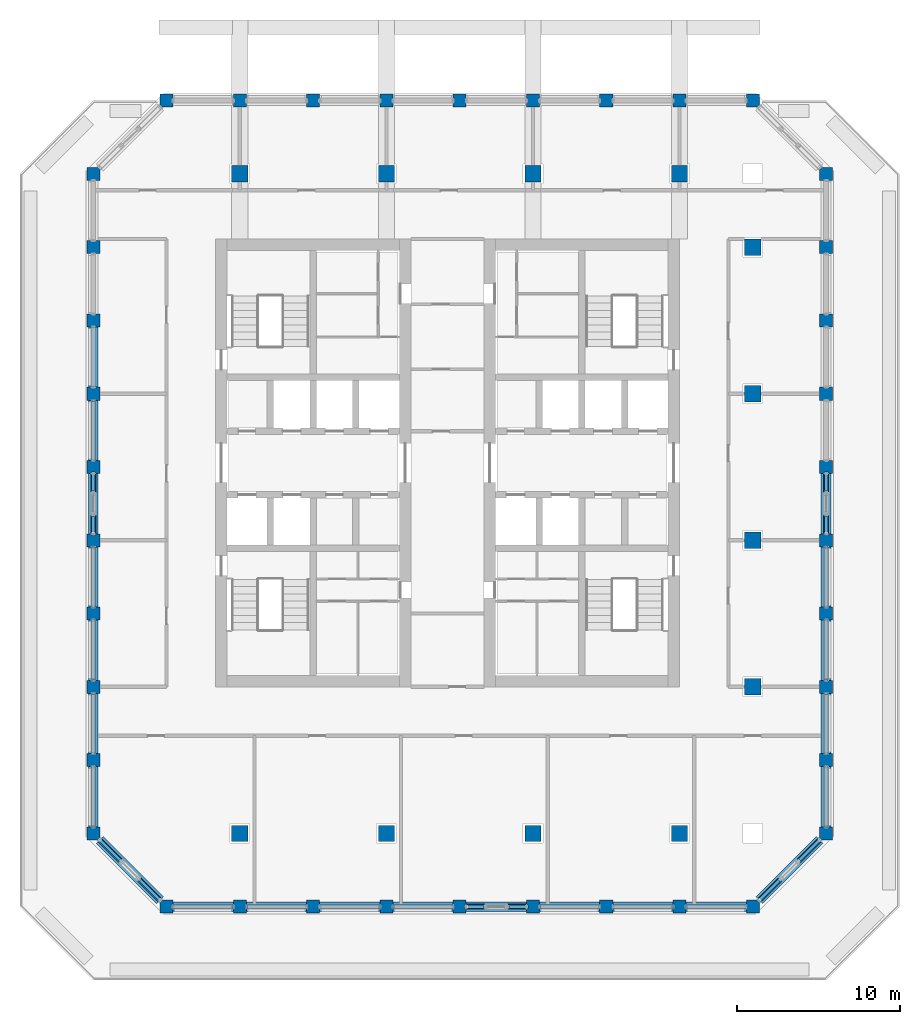
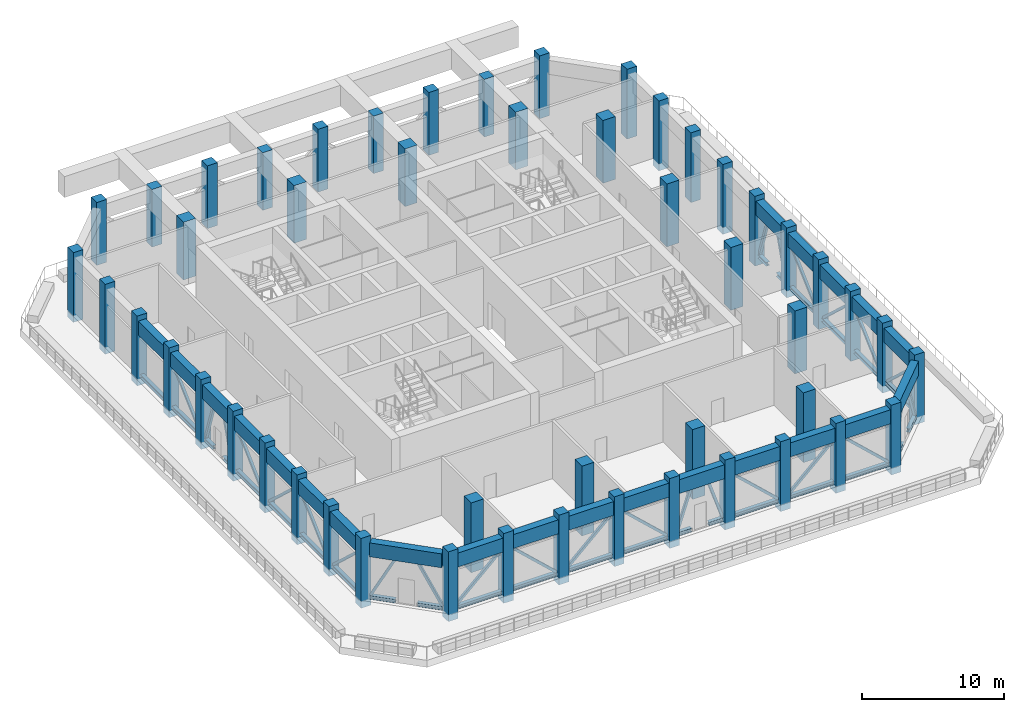
# One storey, part 1 of 19: 53 members, 50 columns, 22 beams.
"""IFC4 building model written with IfcOpenShell, lengths in metres."""

from ifc_helpers import new_model, si_unit, direction, frame, origin, origin_2d, place, context, subcontext, project, spatial, rectangle, hollow_rectangle, i_section, extrude, material, material_profile, profile_set, type_object, element, save


model = new_model("IFC4")

# Units and contexts
model_context = context("Model", 3, precision=1e-05, world=origin(), true_north=direction((0.0, 1.0)))
body_context = subcontext(model_context, "Body", "Model", "MODEL_VIEW")
ifc_project = project(units=[si_unit("LENGTHUNIT", "METRE"), si_unit("AREAUNIT", "SQUARE_METRE"), si_unit("VOLUMEUNIT", "CUBIC_METRE"), si_unit("PLANEANGLEUNIT", "RADIAN"), si_unit("MASSUNIT", "GRAM", prefix="KILO")], contexts=[model_context])

# Site, building, storey
site_placement = place(None, origin())
site = spatial("IfcSite", under=ifc_project, at=site_placement, CompositionType="ELEMENT")
building_placement = place(site_placement, origin())
building = spatial("IfcBuilding", under=site, at=building_placement, Name="Corbel Stack Research Tower", CompositionType="ELEMENT")
storey_placement = place(building_placement, frame((0.0, 0.0, 226.199951171875)))
storey = spatial("IfcBuildingStorey", under=building, at=storey_placement, Name="L51", CompositionType="ELEMENT", Elevation=226.199951171875)

# Columns
ifc_material_1 = material(Name="Concrete C60/75", Category="concrete")
ifc_material_profile_1 = material_profile(ifc_material_1, rectangle(XDim=1.0, YDim=1.0, at=origin_2d()), Name="RC 1000 x 1000")
ifc_profile_set_1 = profile_set([ifc_material_profile_1], Name="Concrete C60/75")
column_type_1 = type_object("IfcColumnType", Name="C-1000-60", PredefinedType="COLUMN", material=ifc_profile_set_1)
for number, where, z_axis, x_axis, name in (
    (1, (-9.0, -18.0, -0.599853515625), (0.0, 0.0, 1.0), (1.0, 0.0, 0.0), "Column 6/D L51"),
    (2, (0.0, -18.0, -0.599853515625), (0.0, 0.0, 1.0), (1.0, 0.0, 0.0), "Column 8/D L51"),
    (3, (9.0, -18.0, -0.599853515625), (0.0, 0.0, 1.0), (1.0, 0.0, 0.0), "Column 10/D L51"),
    (4, (18.0, -18.0, -0.599853515625), (0.0, 0.0, 1.0), (1.0, 0.0, 0.0), "Column 12/D L51"),
):
    element("IfcColumn", number, at=place(storey_placement, frame(where, z_axis=z_axis, x_axis=x_axis)), inside=storey, type_object=column_type_1, Name=name, PredefinedType="COLUMN", context=body_context, shape_type="SweptSolid", body=[
        extrude(rectangle(XDim=1.0, YDim=1.0, at=origin_2d()), origin(), (0.0, 0.0, 1.0), 6.0),
    ])
for number, where, z_axis, x_axis, name in (
    (5, (22.5, -9.0, 0.0), (0.0, 0.0, 1.0), (1.0, 0.0, 0.0), "Column 13/F L51"),
    (6, (22.5, 0.0, 0.0), (0.0, 0.0, 1.0), (1.0, 0.0, 0.0), "Column 13/H L51"),
    (7, (22.5, 9.0, 0.0), (0.0, 0.0, 1.0), (1.0, 0.0, 0.0), "Column 13/K L51"),
    (8, (22.5, 18.0, 0.0), (0.0, 0.0, 1.0), (1.0, 0.0, 0.0), "Column 13/M L51"),
):
    element("IfcColumn", number, at=place(storey_placement, frame(where, z_axis=z_axis, x_axis=x_axis)), inside=storey, type_object=column_type_1, Name=name, PredefinedType="COLUMN", context=body_context, shape_type="SweptSolid", body=[
        extrude(rectangle(XDim=1.0, YDim=1.0, at=origin_2d()), origin(), (0.0, 0.0, 1.0), 5.400146484375),
    ])
ifc_material_2 = material(Name="Concrete C60/75", Category="concrete")
ifc_material_profile_2 = material_profile(ifc_material_2, rectangle(XDim=0.800048828125, YDim=0.800048828125, at=origin_2d()), Name="RC 800 x 800")
ifc_profile_set_2 = profile_set([ifc_material_profile_2], Name="Concrete C60/75")
column_type_2 = type_object("IfcColumnType", Name="C-800-60", PredefinedType="COLUMN", material=ifc_profile_set_2)
for number, where, z_axis, x_axis, name in (
    (9, (-18.0, -18.0, -0.599853515625), (0.0, 0.0, 1.0), (1.0, 0.0, 0.0), "Column 4/D L51"),
    (10, (-18.0, -13.5, -0.599853515625), (0.0, 0.0, 1.0), (1.0, 0.0, 0.0), "Column 4/E L51"),
    (11, (-18.0, -9.0, -0.599853515625), (0.0, 0.0, 1.0), (1.0, 0.0, 0.0), "Column 4/F L51"),
    (12, (-18.0, -4.5, -0.599853515625), (0.0, 0.0, 1.0), (1.0, 0.0, 0.0), "Column 4/G L51"),
    (13, (-18.0, 0.0, -0.599853515625), (0.0, 0.0, 1.0), (1.0, 0.0, 0.0), "Column 4/H L51"),
    (14, (-18.0, 4.5, -0.599853515625), (0.0, 0.0, 1.0), (1.0, 0.0, 0.0), "Column 4/J L51"),
    (15, (-18.0, 9.0, -0.599853515625), (0.0, 0.0, 1.0), (1.0, 0.0, 0.0), "Column 4/K L51"),
    (16, (-18.0, 13.5, -0.599853515625), (0.0, 0.0, 1.0), (1.0, 0.0, 0.0), "Column 4/L L51"),
    (17, (-18.0, 18.0, -0.599853515625), (0.0, 0.0, 1.0), (1.0, 0.0, 0.0), "Column 4/M L51"),
    (18, (-18.0, 22.5, -0.599853515625), (0.0, 0.0, 1.0), (1.0, 0.0, 0.0), "Column 4/N L51"),
    (19, (-13.5, -22.5, -0.599853515625), (0.0, 0.0, 1.0), (1.0, 0.0, 0.0), "Column 5/C L51"),
):
    element("IfcColumn", number, at=place(storey_placement, frame(where, z_axis=z_axis, x_axis=x_axis)), inside=storey, type_object=column_type_2, Name=name, PredefinedType="COLUMN", context=body_context, shape_type="SweptSolid", body=[
        extrude(rectangle(XDim=0.800048828125, YDim=0.800048828125, at=origin_2d()), origin(), (0.0, 0.0, 1.0), 6.0),
    ])
column_1_placement = place(storey_placement, frame((-13.5, 27.0, 0.0), z_axis=(0.0, 0.0, 1.0), x_axis=(1.0, 0.0, 0.0)))
element("IfcColumn", 20, at=column_1_placement, inside=storey, type_object=column_type_2, Name="Column 5/P L51", PredefinedType="COLUMN", context=body_context, shape_type="SweptSolid", body=[
    extrude(rectangle(XDim=0.800048828125, YDim=0.800048828125, at=origin_2d()), origin(), (0.0, 0.0, 1.0), 5.400146484375),
])
for number, where, z_axis, x_axis, name in (
    (21, (-9.0, -22.5, -0.599853515625), (0.0, 0.0, 1.0), (1.0, 0.0, 0.0), "Column 6/C L51"),
    (22, (-4.5, -22.5, -0.599853515625), (0.0, 0.0, 1.0), (1.0, 0.0, 0.0), "Column 7/C L51"),
):
    element("IfcColumn", number, at=place(storey_placement, frame(where, z_axis=z_axis, x_axis=x_axis)), inside=storey, type_object=column_type_2, Name=name, PredefinedType="COLUMN", context=body_context, shape_type="SweptSolid", body=[
        extrude(rectangle(XDim=0.800048828125, YDim=0.800048828125, at=origin_2d()), origin(), (0.0, 0.0, 1.0), 6.0),
    ])
column_2_placement = place(storey_placement, frame((-4.5, 27.0, 0.0), z_axis=(0.0, 0.0, 1.0), x_axis=(1.0, 0.0, 0.0)))
element("IfcColumn", 23, at=column_2_placement, inside=storey, type_object=column_type_2, Name="Column 7/P L51", PredefinedType="COLUMN", context=body_context, shape_type="SweptSolid", body=[
    extrude(rectangle(XDim=0.800048828125, YDim=0.800048828125, at=origin_2d()), origin(), (0.0, 0.0, 1.0), 5.400146484375),
])
for number, where, z_axis, x_axis, name in (
    (24, (0.0, -22.5, -0.599853515625), (0.0, 0.0, 1.0), (1.0, 0.0, 0.0), "Column 8/C L51"),
    (25, (4.5, -22.5, -0.599853515625), (0.0, 0.0, 1.0), (1.0, 0.0, 0.0), "Column 9/C L51"),
):
    element("IfcColumn", number, at=place(storey_placement, frame(where, z_axis=z_axis, x_axis=x_axis)), inside=storey, type_object=column_type_2, Name=name, PredefinedType="COLUMN", context=body_context, shape_type="SweptSolid", body=[
        extrude(rectangle(XDim=0.800048828125, YDim=0.800048828125, at=origin_2d()), origin(), (0.0, 0.0, 1.0), 6.0),
    ])
column_3_placement = place(storey_placement, frame((4.5, 27.0, 0.0), z_axis=(0.0, 0.0, 1.0), x_axis=(1.0, 0.0, 0.0)))
element("IfcColumn", 26, at=column_3_placement, inside=storey, type_object=column_type_2, Name="Column 9/P L51", PredefinedType="COLUMN", context=body_context, shape_type="SweptSolid", body=[
    extrude(rectangle(XDim=0.800048828125, YDim=0.800048828125, at=origin_2d()), origin(), (0.0, 0.0, 1.0), 5.400146484375),
])
for number, where, z_axis, x_axis, name in (
    (27, (9.0, -22.5, -0.599853515625), (0.0, 0.0, 1.0), (1.0, 0.0, 0.0), "Column 10/C L51"),
    (28, (13.5, -22.5, -0.599853515625), (0.0, 0.0, 1.0), (1.0, 0.0, 0.0), "Column 11/C L51"),
):
    element("IfcColumn", number, at=place(storey_placement, frame(where, z_axis=z_axis, x_axis=x_axis)), inside=storey, type_object=column_type_2, Name=name, PredefinedType="COLUMN", context=body_context, shape_type="SweptSolid", body=[
        extrude(rectangle(XDim=0.800048828125, YDim=0.800048828125, at=origin_2d()), origin(), (0.0, 0.0, 1.0), 6.0),
    ])
column_4_placement = place(storey_placement, frame((13.5, 27.0, 0.0), z_axis=(0.0, 0.0, 1.0), x_axis=(1.0, 0.0, 0.0)))
element("IfcColumn", 29, at=column_4_placement, inside=storey, type_object=column_type_2, Name="Column 11/P L51", PredefinedType="COLUMN", context=body_context, shape_type="SweptSolid", body=[
    extrude(rectangle(XDim=0.800048828125, YDim=0.800048828125, at=origin_2d()), origin(), (0.0, 0.0, 1.0), 5.400146484375),
])
for number, where, z_axis, x_axis, name in (
    (30, (18.0, -22.5, -0.599853515625), (0.0, 0.0, 1.0), (1.0, 0.0, 0.0), "Column 12/C L51"),
    (31, (22.5, -22.5, -0.599853515625), (0.0, 0.0, 1.0), (1.0, 0.0, 0.0), "Column 13/C L51"),
):
    element("IfcColumn", number, at=place(storey_placement, frame(where, z_axis=z_axis, x_axis=x_axis)), inside=storey, type_object=column_type_2, Name=name, PredefinedType="COLUMN", context=body_context, shape_type="SweptSolid", body=[
        extrude(rectangle(XDim=0.800048828125, YDim=0.800048828125, at=origin_2d()), origin(), (0.0, 0.0, 1.0), 6.0),
    ])
column_5_placement = place(storey_placement, frame((22.5, 27.0, 0.0), z_axis=(0.0, 0.0, 1.0), x_axis=(1.0, 0.0, 0.0)))
element("IfcColumn", 32, at=column_5_placement, inside=storey, type_object=column_type_2, Name="Column 13/P L51", PredefinedType="COLUMN", context=body_context, shape_type="SweptSolid", body=[
    extrude(rectangle(XDim=0.800048828125, YDim=0.800048828125, at=origin_2d()), origin(), (0.0, 0.0, 1.0), 5.400146484375),
])
for number, where, z_axis, x_axis, name in (
    (33, (27.0, -18.0, -0.599853515625), (0.0, 0.0, 1.0), (1.0, 0.0, 0.0), "Column 14/D L51"),
    (34, (27.0, -13.5, -0.599853515625), (0.0, 0.0, 1.0), (1.0, 0.0, 0.0), "Column 14/E L51"),
    (35, (27.0, -9.0, -0.599853515625), (0.0, 0.0, 1.0), (1.0, 0.0, 0.0), "Column 14/F L51"),
    (36, (27.0, -4.5, -0.599853515625), (0.0, 0.0, 1.0), (1.0, 0.0, 0.0), "Column 14/G L51"),
    (37, (27.0, 0.0, -0.599853515625), (0.0, 0.0, 1.0), (1.0, 0.0, 0.0), "Column 14/H L51"),
    (38, (27.0, 4.5, -0.599853515625), (0.0, 0.0, 1.0), (1.0, 0.0, 0.0), "Column 14/J L51"),
    (39, (27.0, 9.0, -0.599853515625), (0.0, 0.0, 1.0), (1.0, 0.0, 0.0), "Column 14/K L51"),
    (40, (27.0, 13.5, -0.599853515625), (0.0, 0.0, 1.0), (1.0, 0.0, 0.0), "Column 14/L L51"),
    (41, (27.0, 18.0, -0.599853515625), (0.0, 0.0, 1.0), (1.0, 0.0, 0.0), "Column 14/M L51"),
    (42, (27.0, 22.5, -0.599853515625), (0.0, 0.0, 1.0), (1.0, 0.0, 0.0), "Column 14/N L51"),
):
    element("IfcColumn", number, at=place(storey_placement, frame(where, z_axis=z_axis, x_axis=x_axis)), inside=storey, type_object=column_type_2, Name=name, PredefinedType="COLUMN", context=body_context, shape_type="SweptSolid", body=[
        extrude(rectangle(XDim=0.800048828125, YDim=0.800048828125, at=origin_2d()), origin(), (0.0, 0.0, 1.0), 6.0),
    ])
ifc_material_3 = material(Name="Concrete C60/75", Category="concrete")
ifc_material_profile_3 = material_profile(ifc_material_3, rectangle(XDim=1.0, YDim=1.0, at=origin_2d()), Name="RC 1000 x 1000")
ifc_profile_set_3 = profile_set([ifc_material_profile_3], Name="Concrete C60/75")
column_type_3 = type_object("IfcColumnType", Name="CG-1000-60-450", PredefinedType="COLUMN", material=ifc_profile_set_3)
for number, where, z_axis, x_axis, name in (
    (43, (-9.0, 22.5, 0.0), (0.0, 0.0, 1.0), (1.0, 0.0, 0.0), "Column 6/N L51"),
    (44, (0.0, 22.5, 0.0), (0.0, 0.0, 1.0), (1.0, 0.0, 0.0), "Column 8/N L51"),
    (45, (9.0, 22.5, 0.0), (0.0, 0.0, 1.0), (1.0, 0.0, 0.0), "Column 10/N L51"),
    (46, (18.0, 22.5, 0.0), (0.0, 0.0, 1.0), (1.0, 0.0, 0.0), "Column 12/N L51"),
):
    element("IfcColumn", number, at=place(storey_placement, frame(where, z_axis=z_axis, x_axis=x_axis)), inside=storey, type_object=column_type_3, Name=name, PredefinedType="COLUMN", context=body_context, shape_type="SweptSolid", body=[
        extrude(rectangle(XDim=1.0, YDim=1.0, at=origin_2d()), origin(), (0.0, 0.0, 1.0), 4.949951171875),
    ])
ifc_material_4 = material(Name="Concrete C60/75", Category="concrete")
ifc_material_profile_4 = material_profile(ifc_material_4, rectangle(XDim=0.800048828125, YDim=0.800048828125, at=origin_2d()), Name="RC 800 x 800")
ifc_profile_set_4 = profile_set([ifc_material_profile_4], Name="Concrete C60/75")
column_type_4 = type_object("IfcColumnType", Name="CG-800-60-450", PredefinedType="COLUMN", material=ifc_profile_set_4)
for number, where, z_axis, x_axis, name in (
    (47, (-9.0, 27.0, 0.0), (0.0, 0.0, 1.0), (1.0, 0.0, 0.0), "Column 6/P L51"),
    (48, (0.0, 27.0, 0.0), (0.0, 0.0, 1.0), (1.0, 0.0, 0.0), "Column 8/P L51"),
    (49, (9.0, 27.0, 0.0), (0.0, 0.0, 1.0), (1.0, 0.0, 0.0), "Column 10/P L51"),
    (50, (18.0, 27.0, 0.0), (0.0, 0.0, 1.0), (1.0, 0.0, 0.0), "Column 12/P L51"),
):
    element("IfcColumn", number, at=place(storey_placement, frame(where, z_axis=z_axis, x_axis=x_axis)), inside=storey, type_object=column_type_4, Name=name, PredefinedType="COLUMN", context=body_context, shape_type="SweptSolid", body=[
        extrude(rectangle(XDim=0.800048828125, YDim=0.800048828125, at=origin_2d()), origin(), (0.0, 0.0, 1.0), 4.949951171875),
    ])

# Members
ifc_material_5 = material(Name="Steel S355", Category="steel")
ifc_material_profile_5 = material_profile(ifc_material_5, i_section(OverallWidth=0.304931640625, OverallDepth=0.30810546875, WebThickness=0.010009765625, FlangeThickness=0.014892578125, at=origin_2d()), Name="W12x65")
ifc_profile_set_5 = profile_set([ifc_material_profile_5], Name="Steel S355")
member_type_1 = type_object("IfcMemberType", Name="BC-65", PredefinedType="CHORD", material=ifc_profile_set_5)
for number, where, z_axis, x_axis, name in (
    (51, (-13.10009765625, -22.5, 0.154052734375), (1.0, 0.0, 0.0), (0.0, 1.0, 0.0), "Belt truss chord L51-01"),
    (52, (-8.60009765625, -22.5, 0.154052734375), (1.0, 0.0, 0.0), (0.0, 1.0, 0.0), "Belt truss chord L51-02"),
    (53, (-4.10009765625, -22.5, 0.154052734375), (1.0, 0.0, 0.0), (0.0, 1.0, 0.0), "Belt truss chord L51-03"),
    (54, (0.39990234375, -22.5, 0.154052734375), (1.0, 0.0, 0.0), (0.0, 1.0, 0.0), "Belt truss chord L51-04"),
):
    element("IfcMember", number, at=place(storey_placement, frame(where, z_axis=z_axis, x_axis=x_axis)), inside=storey, type_object=member_type_1, Name=name, PredefinedType="CHORD", context=body_context, shape_type="SweptSolid", body=[
        extrude(i_section(OverallWidth=0.304931640625, OverallDepth=0.30810546875, WebThickness=0.010009765625, FlangeThickness=0.014892578125, at=origin_2d()), origin(), (0.0, 0.0, 1.0), 3.7001953125),
    ])
for number, where, z_axis, x_axis, name in (
    (55, (4.89990234375, -22.5, 0.154052734375), (1.0, 0.0, 0.0), (0.0, 1.0, 0.0), "Belt truss chord L51-05a"),
    (56, (7.449951171875, -22.5, 0.154052734375), (1.0, 0.0, 0.0), (0.0, 1.0, 0.0), "Belt truss chord L51-05b"),
):
    element("IfcMember", number, at=place(storey_placement, frame(where, z_axis=z_axis, x_axis=x_axis)), inside=storey, type_object=member_type_1, Name=name, PredefinedType="CHORD", context=body_context, shape_type="SweptSolid", body=[
        extrude(i_section(OverallWidth=0.304931640625, OverallDepth=0.30810546875, WebThickness=0.010009765625, FlangeThickness=0.014892578125, at=origin_2d()), origin(), (0.0, 0.0, 1.0), 1.150146484375),
    ])
for number, where, z_axis, x_axis, name in (
    (57, (9.39990234375, -22.5, 0.154052734375), (1.0, 0.0, 0.0), (0.0, 1.0, 0.0), "Belt truss chord L51-06"),
    (58, (13.89990234375, -22.5, 0.154052734375), (1.0, 0.0, 0.0), (0.0, 1.0, 0.0), "Belt truss chord L51-07"),
    (59, (18.39990234375, -22.5, 0.154052734375), (1.0, 0.0, 0.0), (0.0, 1.0, 0.0), "Belt truss chord L51-08"),
):
    element("IfcMember", number, at=place(storey_placement, frame(where, z_axis=z_axis, x_axis=x_axis)), inside=storey, type_object=member_type_1, Name=name, PredefinedType="CHORD", context=body_context, shape_type="SweptSolid", body=[
        extrude(i_section(OverallWidth=0.304931640625, OverallDepth=0.30810546875, WebThickness=0.010009765625, FlangeThickness=0.014892578125, at=origin_2d()), origin(), (0.0, 0.0, 1.0), 3.7001953125),
    ])
for number, where, z_axis, x_axis, name in (
    (60, (22.89990234375, -22.10009765625, 0.154052734375), (0.707106781187, 0.707106781187, 0.0), (-0.707106781187, 0.707106781187, 0.0), "Belt truss chord L51-09a"),
    (61, (25.315673828125, -19.684326171875, 0.154052734375), (0.707106781187, 0.707106781187, 0.0), (-0.707106781187, 0.707106781187, 0.0), "Belt truss chord L51-09b"),
):
    element("IfcMember", number, at=place(storey_placement, frame(where, z_axis=z_axis, x_axis=x_axis)), inside=storey, type_object=member_type_1, Name=name, PredefinedType="CHORD", context=body_context, shape_type="SweptSolid", body=[
        extrude(i_section(OverallWidth=0.304931640625, OverallDepth=0.30810546875, WebThickness=0.010009765625, FlangeThickness=0.014892578125, at=origin_2d()), origin(), (0.0, 0.0, 1.0), 1.81640625),
    ])
for number, where, z_axis, x_axis, name in (
    (62, (27.0, -17.60009765625, 0.154052734375), (0.0, 1.0, 0.0), (-1.0, 0.0, 0.0), "Belt truss chord L51-10"),
    (63, (27.0, -13.10009765625, 0.154052734375), (0.0, 1.0, 0.0), (-1.0, 0.0, 0.0), "Belt truss chord L51-11"),
    (64, (27.0, -8.60009765625, 0.154052734375), (0.0, 1.0, 0.0), (-1.0, 0.0, 0.0), "Belt truss chord L51-12"),
    (65, (27.0, -4.10009765625, 0.154052734375), (0.0, 1.0, 0.0), (-1.0, 0.0, 0.0), "Belt truss chord L51-13"),
):
    element("IfcMember", number, at=place(storey_placement, frame(where, z_axis=z_axis, x_axis=x_axis)), inside=storey, type_object=member_type_1, Name=name, PredefinedType="CHORD", context=body_context, shape_type="SweptSolid", body=[
        extrude(i_section(OverallWidth=0.304931640625, OverallDepth=0.30810546875, WebThickness=0.010009765625, FlangeThickness=0.014892578125, at=origin_2d()), origin(), (0.0, 0.0, 1.0), 3.7001953125),
    ])
for number, where, z_axis, x_axis, name in (
    (66, (27.0, 0.39990234375, 0.154052734375), (0.0, 1.0, 0.0), (-1.0, 0.0, 0.0), "Belt truss chord L51-14a"),
    (67, (27.0, 2.949951171875, 0.154052734375), (0.0, 1.0, 0.0), (-1.0, 0.0, 0.0), "Belt truss chord L51-14b"),
):
    element("IfcMember", number, at=place(storey_placement, frame(where, z_axis=z_axis, x_axis=x_axis)), inside=storey, type_object=member_type_1, Name=name, PredefinedType="CHORD", context=body_context, shape_type="SweptSolid", body=[
        extrude(i_section(OverallWidth=0.304931640625, OverallDepth=0.30810546875, WebThickness=0.010009765625, FlangeThickness=0.014892578125, at=origin_2d()), origin(), (0.0, 0.0, 1.0), 1.150146484375),
    ])
for number, where, z_axis, x_axis, name in (
    (68, (-18.0, 13.10009765625, 0.154052734375), (0.0, -1.0, 0.0), (1.0, 0.0, 0.0), "Belt truss chord L51-31"),
    (69, (-18.0, 8.60009765625, 0.154052734375), (0.0, -1.0, 0.0), (1.0, 0.0, 0.0), "Belt truss chord L51-32"),
):
    element("IfcMember", number, at=place(storey_placement, frame(where, z_axis=z_axis, x_axis=x_axis)), inside=storey, type_object=member_type_1, Name=name, PredefinedType="CHORD", context=body_context, shape_type="SweptSolid", body=[
        extrude(i_section(OverallWidth=0.304931640625, OverallDepth=0.30810546875, WebThickness=0.010009765625, FlangeThickness=0.014892578125, at=origin_2d()), origin(), (0.0, 0.0, 1.0), 3.7001953125),
    ])
for number, where, z_axis, x_axis, name in (
    (70, (-18.0, 4.10009765625, 0.154052734375), (0.0, -1.0, 0.0), (1.0, 0.0, 0.0), "Belt truss chord L51-33a"),
    (71, (-18.0, 1.550048828125, 0.154052734375), (0.0, -1.0, 0.0), (1.0, 0.0, 0.0), "Belt truss chord L51-33b"),
):
    element("IfcMember", number, at=place(storey_placement, frame(where, z_axis=z_axis, x_axis=x_axis)), inside=storey, type_object=member_type_1, Name=name, PredefinedType="CHORD", context=body_context, shape_type="SweptSolid", body=[
        extrude(i_section(OverallWidth=0.304931640625, OverallDepth=0.30810546875, WebThickness=0.010009765625, FlangeThickness=0.014892578125, at=origin_2d()), origin(), (0.0, 0.0, 1.0), 1.150146484375),
    ])
for number, where, z_axis, x_axis, name in (
    (72, (-18.0, -0.39990234375, 0.154052734375), (0.0, -1.0, 0.0), (1.0, 0.0, 0.0), "Belt truss chord L51-34"),
    (73, (-18.0, -4.89990234375, 0.154052734375), (0.0, -1.0, 0.0), (1.0, 0.0, 0.0), "Belt truss chord L51-35"),
    (74, (-18.0, -9.39990234375, 0.154052734375), (0.0, -1.0, 0.0), (1.0, 0.0, 0.0), "Belt truss chord L51-36"),
    (75, (-18.0, -13.89990234375, 0.154052734375), (0.0, -1.0, 0.0), (1.0, 0.0, 0.0), "Belt truss chord L51-37"),
):
    element("IfcMember", number, at=place(storey_placement, frame(where, z_axis=z_axis, x_axis=x_axis)), inside=storey, type_object=member_type_1, Name=name, PredefinedType="CHORD", context=body_context, shape_type="SweptSolid", body=[
        extrude(i_section(OverallWidth=0.304931640625, OverallDepth=0.30810546875, WebThickness=0.010009765625, FlangeThickness=0.014892578125, at=origin_2d()), origin(), (0.0, 0.0, 1.0), 3.7001953125),
    ])
for number, where, z_axis, x_axis, name in (
    (76, (-17.60009765625, -18.39990234375, 0.154052734375), (0.707106781187, -0.707106781187, 0.0), (0.707106781187, 0.707106781187, 0.0), "Belt truss chord L51-38a"),
    (77, (-15.184326171875, -20.815673828125, 0.154052734375), (0.707106781187, -0.707106781187, 0.0), (0.707106781187, 0.707106781187, 0.0), "Belt truss chord L51-38b"),
):
    element("IfcMember", number, at=place(storey_placement, frame(where, z_axis=z_axis, x_axis=x_axis)), inside=storey, type_object=member_type_1, Name=name, PredefinedType="CHORD", context=body_context, shape_type="SweptSolid", body=[
        extrude(i_section(OverallWidth=0.304931640625, OverallDepth=0.30810546875, WebThickness=0.010009765625, FlangeThickness=0.014892578125, at=origin_2d()), origin(), (0.0, 0.0, 1.0), 1.81640625),
    ])
ifc_material_6 = material(Name="Steel S355", Category="steel")
ifc_material_profile_6 = material_profile(ifc_material_6, hollow_rectangle(XDim=0.202880859375, YDim=0.202880859375, WallThickness=0.0087890625, at=origin_2d()), Name="HSS8x8x3/8")
ifc_profile_set_6 = profile_set([ifc_material_profile_6], Name="Steel S355")
member_type_2 = type_object("IfcMemberType", Name="BD-8", PredefinedType="BRACE", material=ifc_profile_set_6)
for number, where, z_axis, x_axis, name in (
    (78, (-13.10009765625, -22.5, 0.30810546875), (0.73220130553, 0.0, 0.681088282222), (0.0, 1.0, 0.0), "Belt truss diagonal L51-01"),
    (79, (-4.89990234375, -22.5, 0.30810546875), (-0.73220130553, 0.0, 0.681088282222), (0.0, -1.0, 0.0), "Belt truss diagonal L51-02"),
    (80, (-4.10009765625, -22.5, 0.30810546875), (0.73220130553, 0.0, 0.681088282222), (0.0, 1.0, 0.0), "Belt truss diagonal L51-03"),
    (81, (4.10009765625, -22.5, 0.30810546875), (-0.73220130553, 0.0, 0.681088282222), (0.0, -1.0, 0.0), "Belt truss diagonal L51-04"),
):
    element("IfcMember", number, at=place(storey_placement, frame(where, z_axis=z_axis, x_axis=x_axis)), inside=storey, type_object=member_type_2, Name=name, PredefinedType="BRACE", context=body_context, shape_type="SweptSolid", body=[
        extrude(hollow_rectangle(XDim=0.202880859375, YDim=0.202880859375, WallThickness=0.0087890625, at=origin_2d()), origin(), (0.0, 0.0, 1.0), 5.053466796875),
    ])
for number, where, z_axis, x_axis, name in (
    (82, (4.89990234375, -22.5, 0.30810546875), (0.316934069296, 0.0, 0.948447571413), (0.0, 1.0, 0.0), "Belt truss diagonal L51-05a"),
    (83, (8.60009765625, -22.5, 0.30810546875), (-0.316934069296, 0.0, 0.948447571413), (0.0, -1.0, 0.0), "Belt truss diagonal L51-05b"),
):
    element("IfcMember", number, at=place(storey_placement, frame(where, z_axis=z_axis, x_axis=x_axis)), inside=storey, type_object=member_type_2, Name=name, PredefinedType="BRACE", context=body_context, shape_type="SweptSolid", body=[
        extrude(hollow_rectangle(XDim=0.202880859375, YDim=0.202880859375, WallThickness=0.0087890625, at=origin_2d()), origin(), (0.0, 0.0, 1.0), 3.62890625),
    ])
for number, where, z_axis, x_axis, name in (
    (84, (13.10009765625, -22.5, 0.30810546875), (-0.73220130553, 0.0, 0.681088282222), (0.0, -1.0, 0.0), "Belt truss diagonal L51-06"),
    (85, (13.89990234375, -22.5, 0.30810546875), (0.73220130553, 0.0, 0.681088282222), (0.0, 1.0, 0.0), "Belt truss diagonal L51-07"),
    (86, (22.10009765625, -22.5, 0.30810546875), (-0.73220130553, 0.0, 0.681088282222), (0.0, -1.0, 0.0), "Belt truss diagonal L51-08"),
):
    element("IfcMember", number, at=place(storey_placement, frame(where, z_axis=z_axis, x_axis=x_axis)), inside=storey, type_object=member_type_2, Name=name, PredefinedType="BRACE", context=body_context, shape_type="SweptSolid", body=[
        extrude(hollow_rectangle(XDim=0.202880859375, YDim=0.202880859375, WallThickness=0.0087890625, at=origin_2d()), origin(), (0.0, 0.0, 1.0), 5.053466796875),
    ])
for number, where, z_axis, x_axis, name in (
    (87, (22.89990234375, -22.10009765625, 0.30810546875), (0.330033142977, 0.330033142977, 0.884395979793), (-0.707106781187, 0.707106781187, 0.0), "Belt truss diagonal L51-09a"),
    (88, (26.60009765625, -18.39990234375, 0.30810546875), (-0.330033142977, -0.330033142977, 0.884395979793), (0.707106781187, -0.707106781187, 0.0), "Belt truss diagonal L51-09b"),
):
    element("IfcMember", number, at=place(storey_placement, frame(where, z_axis=z_axis, x_axis=x_axis)), inside=storey, type_object=member_type_2, Name=name, PredefinedType="BRACE", context=body_context, shape_type="SweptSolid", body=[
        extrude(hollow_rectangle(XDim=0.202880859375, YDim=0.202880859375, WallThickness=0.0087890625, at=origin_2d()), origin(), (0.0, 0.0, 1.0), 3.891845703125),
    ])
for number, where, z_axis, x_axis, name in (
    (89, (27.0, -13.89990234375, 0.30810546875), (0.0, -0.73220130553, 0.681088282222), (1.0, 0.0, 0.0), "Belt truss diagonal L51-10"),
    (90, (27.0, -13.10009765625, 0.30810546875), (0.0, 0.73220130553, 0.681088282222), (-1.0, 0.0, 0.0), "Belt truss diagonal L51-11"),
    (91, (27.0, -4.89990234375, 0.30810546875), (0.0, -0.73220130553, 0.681088282222), (1.0, 0.0, 0.0), "Belt truss diagonal L51-12"),
    (92, (27.0, -4.10009765625, 0.30810546875), (0.0, 0.73220130553, 0.681088282222), (-1.0, 0.0, 0.0), "Belt truss diagonal L51-13"),
):
    element("IfcMember", number, at=place(storey_placement, frame(where, z_axis=z_axis, x_axis=x_axis)), inside=storey, type_object=member_type_2, Name=name, PredefinedType="BRACE", context=body_context, shape_type="SweptSolid", body=[
        extrude(hollow_rectangle(XDim=0.202880859375, YDim=0.202880859375, WallThickness=0.0087890625, at=origin_2d()), origin(), (0.0, 0.0, 1.0), 5.053466796875),
    ])
for number, where, z_axis, x_axis, name in (
    (93, (27.0, 0.39990234375, 0.30810546875), (0.0, 0.316934069296, 0.948447571413), (-1.0, 0.0, 0.0), "Belt truss diagonal L51-14a"),
    (94, (27.0, 4.10009765625, 0.30810546875), (0.0, -0.316934069296, 0.948447571413), (1.0, 0.0, 0.0), "Belt truss diagonal L51-14b"),
):
    element("IfcMember", number, at=place(storey_placement, frame(where, z_axis=z_axis, x_axis=x_axis)), inside=storey, type_object=member_type_2, Name=name, PredefinedType="BRACE", context=body_context, shape_type="SweptSolid", body=[
        extrude(hollow_rectangle(XDim=0.202880859375, YDim=0.202880859375, WallThickness=0.0087890625, at=origin_2d()), origin(), (0.0, 0.0, 1.0), 3.62890625),
    ])
member_placement = place(storey_placement, frame((-18.0, 4.89990234375, 0.30810546875), z_axis=(0.0, 0.73220130553, 0.681088282222), x_axis=(-1.0, 0.0, 0.0)))
element("IfcMember", 95, at=member_placement, inside=storey, type_object=member_type_2, Name="Belt truss diagonal L51-32", PredefinedType="BRACE", context=body_context, shape_type="SweptSolid", body=[
    extrude(hollow_rectangle(XDim=0.202880859375, YDim=0.202880859375, WallThickness=0.0087890625, at=origin_2d()), origin(), (0.0, 0.0, 1.0), 5.053466796875),
])
for number, where, z_axis, x_axis, name in (
    (96, (-18.0, 4.10009765625, 0.30810546875), (0.0, -0.316934069296, 0.948447571413), (1.0, 0.0, 0.0), "Belt truss diagonal L51-33a"),
    (97, (-18.0, 0.39990234375, 0.30810546875), (0.0, 0.316934069296, 0.948447571413), (-1.0, 0.0, 0.0), "Belt truss diagonal L51-33b"),
):
    element("IfcMember", number, at=place(storey_placement, frame(where, z_axis=z_axis, x_axis=x_axis)), inside=storey, type_object=member_type_2, Name=name, PredefinedType="BRACE", context=body_context, shape_type="SweptSolid", body=[
        extrude(hollow_rectangle(XDim=0.202880859375, YDim=0.202880859375, WallThickness=0.0087890625, at=origin_2d()), origin(), (0.0, 0.0, 1.0), 3.62890625),
    ])
for number, where, z_axis, x_axis, name in (
    (98, (-18.0, -4.10009765625, 0.30810546875), (0.0, 0.73220130553, 0.681088282222), (-1.0, 0.0, 0.0), "Belt truss diagonal L51-34"),
    (99, (-18.0, -4.89990234375, 0.30810546875), (0.0, -0.73220130553, 0.681088282222), (1.0, 0.0, 0.0), "Belt truss diagonal L51-35"),
    (100, (-18.0, -13.10009765625, 0.30810546875), (0.0, 0.73220130553, 0.681088282222), (-1.0, 0.0, 0.0), "Belt truss diagonal L51-36"),
    (101, (-18.0, -13.89990234375, 0.30810546875), (0.0, -0.73220130553, 0.681088282222), (1.0, 0.0, 0.0), "Belt truss diagonal L51-37"),
):
    element("IfcMember", number, at=place(storey_placement, frame(where, z_axis=z_axis, x_axis=x_axis)), inside=storey, type_object=member_type_2, Name=name, PredefinedType="BRACE", context=body_context, shape_type="SweptSolid", body=[
        extrude(hollow_rectangle(XDim=0.202880859375, YDim=0.202880859375, WallThickness=0.0087890625, at=origin_2d()), origin(), (0.0, 0.0, 1.0), 5.053466796875),
    ])
for number, where, z_axis, x_axis, name in (
    (102, (-17.60009765625, -18.39990234375, 0.30810546875), (0.330033142977, -0.330033142977, 0.884395979793), (0.707106781187, 0.707106781187, 0.0), "Belt truss diagonal L51-38a"),
    (103, (-13.89990234375, -22.10009765625, 0.30810546875), (-0.330033142977, 0.330033142977, 0.884395979793), (-0.707106781187, -0.707106781187, 0.0), "Belt truss diagonal L51-38b"),
):
    element("IfcMember", number, at=place(storey_placement, frame(where, z_axis=z_axis, x_axis=x_axis)), inside=storey, type_object=member_type_2, Name=name, PredefinedType="BRACE", context=body_context, shape_type="SweptSolid", body=[
        extrude(hollow_rectangle(XDim=0.202880859375, YDim=0.202880859375, WallThickness=0.0087890625, at=origin_2d()), origin(), (0.0, 0.0, 1.0), 3.891845703125),
    ])

# Beams
ifc_material_7 = material(Name="Concrete C60/75", Category="concrete")
ifc_material_profile_7 = material_profile(ifc_material_7, rectangle(XDim=0.60009765625, YDim=1.199951171875, at=origin_2d()), Name="RC 600 x 1200")
ifc_profile_set_7 = profile_set([ifc_material_profile_7], Name="Concrete C60/75")
beam_type = type_object("IfcBeamType", Name="SB-600-1200-450", PredefinedType="SPANDREL", material=ifc_profile_set_7)
for number, where, z_axis, x_axis, name in (
    (104, (-13.10009765625, -22.5, 4.35009765625), (1.0, 0.0, 0.0), (0.0, 1.0, 0.0), "Spandrel beam L51-01"),
    (105, (-8.60009765625, -22.5, 4.35009765625), (1.0, 0.0, 0.0), (0.0, 1.0, 0.0), "Spandrel beam L51-02"),
    (106, (-4.10009765625, -22.5, 4.35009765625), (1.0, 0.0, 0.0), (0.0, 1.0, 0.0), "Spandrel beam L51-03"),
    (107, (0.39990234375, -22.5, 4.35009765625), (1.0, 0.0, 0.0), (0.0, 1.0, 0.0), "Spandrel beam L51-04"),
    (108, (4.89990234375, -22.5, 4.35009765625), (1.0, 0.0, 0.0), (0.0, 1.0, 0.0), "Spandrel beam L51-05"),
    (109, (9.39990234375, -22.5, 4.35009765625), (1.0, 0.0, 0.0), (0.0, 1.0, 0.0), "Spandrel beam L51-06"),
    (110, (13.89990234375, -22.5, 4.35009765625), (1.0, 0.0, 0.0), (0.0, 1.0, 0.0), "Spandrel beam L51-07"),
    (111, (18.39990234375, -22.5, 4.35009765625), (1.0, 0.0, 0.0), (0.0, 1.0, 0.0), "Spandrel beam L51-08"),
):
    element("IfcBeam", number, at=place(storey_placement, frame(where, z_axis=z_axis, x_axis=x_axis)), inside=storey, type_object=beam_type, Name=name, PredefinedType="SPANDREL", context=body_context, shape_type="SweptSolid", body=[
        extrude(rectangle(XDim=0.60009765625, YDim=1.199951171875, at=origin_2d()), origin(), (0.0, 0.0, 1.0), 3.7001953125),
    ])
beam_1_placement = place(storey_placement, frame((22.89990234375, -22.10009765625, 4.35009765625), z_axis=(0.707106781187, 0.707106781187, 0.0), x_axis=(-0.707106781187, 0.707106781187, 0.0)))
element("IfcBeam", 112, at=beam_1_placement, inside=storey, type_object=beam_type, Name="Spandrel beam L51-09", PredefinedType="SPANDREL", context=body_context, shape_type="SweptSolid", body=[
    extrude(rectangle(XDim=0.60009765625, YDim=1.199951171875, at=origin_2d()), origin(), (0.0, 0.0, 1.0), 5.23291015625),
])
for number, where, z_axis, x_axis, name in (
    (113, (27.0, -17.60009765625, 4.35009765625), (0.0, 1.0, 0.0), (-1.0, 0.0, 0.0), "Spandrel beam L51-10"),
    (114, (27.0, -13.10009765625, 4.35009765625), (0.0, 1.0, 0.0), (-1.0, 0.0, 0.0), "Spandrel beam L51-11"),
    (115, (27.0, -8.60009765625, 4.35009765625), (0.0, 1.0, 0.0), (-1.0, 0.0, 0.0), "Spandrel beam L51-12"),
    (116, (27.0, -4.10009765625, 4.35009765625), (0.0, 1.0, 0.0), (-1.0, 0.0, 0.0), "Spandrel beam L51-13"),
    (117, (27.0, 0.39990234375, 4.35009765625), (0.0, 1.0, 0.0), (-1.0, 0.0, 0.0), "Spandrel beam L51-14"),
    (118, (-18.0, 13.10009765625, 4.35009765625), (0.0, -1.0, 0.0), (1.0, 0.0, 0.0), "Spandrel beam L51-31"),
    (119, (-18.0, 8.60009765625, 4.35009765625), (0.0, -1.0, 0.0), (1.0, 0.0, 0.0), "Spandrel beam L51-32"),
    (120, (-18.0, 4.10009765625, 4.35009765625), (0.0, -1.0, 0.0), (1.0, 0.0, 0.0), "Spandrel beam L51-33"),
    (121, (-18.0, -0.39990234375, 4.35009765625), (0.0, -1.0, 0.0), (1.0, 0.0, 0.0), "Spandrel beam L51-34"),
    (122, (-18.0, -4.89990234375, 4.35009765625), (0.0, -1.0, 0.0), (1.0, 0.0, 0.0), "Spandrel beam L51-35"),
    (123, (-18.0, -9.39990234375, 4.35009765625), (0.0, -1.0, 0.0), (1.0, 0.0, 0.0), "Spandrel beam L51-36"),
    (124, (-18.0, -13.89990234375, 4.35009765625), (0.0, -1.0, 0.0), (1.0, 0.0, 0.0), "Spandrel beam L51-37"),
):
    element("IfcBeam", number, at=place(storey_placement, frame(where, z_axis=z_axis, x_axis=x_axis)), inside=storey, type_object=beam_type, Name=name, PredefinedType="SPANDREL", context=body_context, shape_type="SweptSolid", body=[
        extrude(rectangle(XDim=0.60009765625, YDim=1.199951171875, at=origin_2d()), origin(), (0.0, 0.0, 1.0), 3.7001953125),
    ])
beam_2_placement = place(storey_placement, frame((-17.60009765625, -18.39990234375, 4.35009765625), z_axis=(0.707106781187, -0.707106781187, 0.0), x_axis=(0.707106781187, 0.707106781187, 0.0)))
element("IfcBeam", 125, at=beam_2_placement, inside=storey, type_object=beam_type, Name="Spandrel beam L51-38", PredefinedType="SPANDREL", context=body_context, shape_type="SweptSolid", body=[
    extrude(rectangle(XDim=0.60009765625, YDim=1.199951171875, at=origin_2d()), origin(), (0.0, 0.0, 1.0), 5.23291015625),
])

save(model, "model.ifc")
